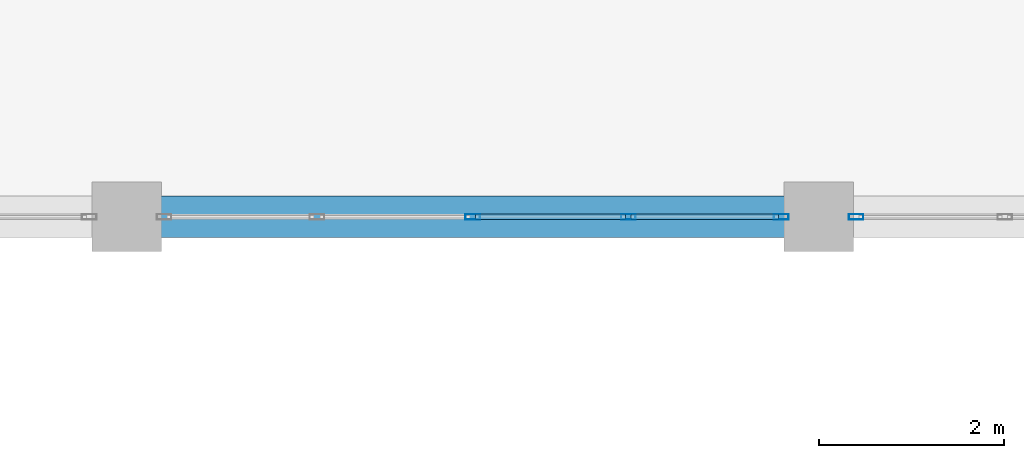
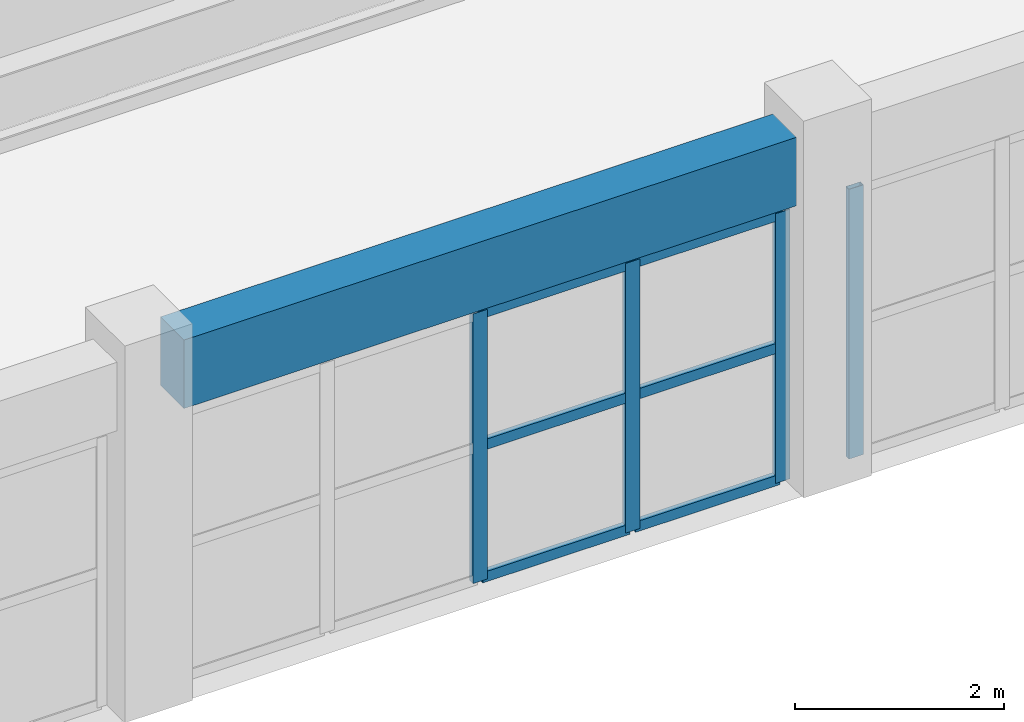
# One storey, part 23 of 90: 10 members, 1 beam, 2 elements without a shape of their own.
"""IFC4 building model written with IfcOpenShell, lengths in metres."""

import ifcopenshell
import ifcopenshell.guid

model = None  # the IFC model being written
_history = None  # IfcOwnerHistory: only IFC2X3 demands one
_inside = {}  # id of a spatial element -> (the spatial element, [elements in it])
_under = {}  # id of a project, library or spatial element -> (it, [spatial elements below it])
_declared = {}  # id of a project -> (the project, [libraries it declares])
_typed = {}  # id of a type object -> (the type object, [elements of that type])
_made_of = {}  # id of a material, layer set ... -> (it, [elements and type objects made of it])


def new_model(schema):
    """Start an empty IFC model of exactly this schema.

    Asked for "IFC4X3", IfcOpenShell would pick the latest addendum, in which some entities
    have other attributes; the version numbers below select the first issue.
    IFC2X3 requires an IfcOwnerHistory on every rooted entity: one is made here for all.
    """
    global model, _history
    if schema == "IFC4X3":
        model = ifcopenshell.file(schema_version=(4, 3, 0, 0))
    else:
        model = ifcopenshell.file(schema=schema)
    _inside.clear()
    _under.clear()
    _declared.clear()
    _typed.clear()
    _made_of.clear()
    _history = None
    if model.schema == "IFC2X3":
        org = make("IfcOrganization", Name="unknown")
        user = make(
            "IfcPersonAndOrganization",
            ThePerson=make("IfcPerson", FamilyName="unknown"),
            TheOrganization=org,
        )
        app = make(
            "IfcApplication",
            ApplicationDeveloper=org,
            Version="unknown",
            ApplicationFullName="unknown",
            ApplicationIdentifier="unknown",
        )
        _history = make(
            "IfcOwnerHistory",
            OwningUser=user,
            OwningApplication=app,
            ChangeAction="ADDED",
            CreationDate=0,
        )
    return model


def make(cls, **values):
    """One entity of the class cls with the attributes given. An attribute that is None is left unset."""
    return model.create_entity(
        cls, **{name: value for name, value in values.items() if value is not None}
    )


def rooted(cls, **values):
    """An entity with a GlobalId (a new one), such as an element, a storey or a relation."""
    return make(cls, GlobalId=ifcopenshell.guid.new(), OwnerHistory=_history, **values)


def si_unit(unit_type, name, prefix=None):
    """IfcSIUnit, for example si_unit("LENGTHUNIT", "METRE", prefix="MILLI")."""
    return make("IfcSIUnit", UnitType=unit_type, Prefix=prefix, Name=name)


def assignment(units):
    """IfcUnitAssignment: the units of a project."""
    return None if units is None else make("IfcUnitAssignment", Units=units)


def point(xyz):
    """IfcCartesianPoint."""
    return None if xyz is None else make("IfcCartesianPoint", Coordinates=xyz)


def direction(xyz):
    """IfcDirection."""
    return None if xyz is None else make("IfcDirection", DirectionRatios=xyz)


def frame(location, z_axis=None, x_axis=None):
    """IfcAxis2Placement3D, a coordinate frame: its origin and axes. An axis left out is left unset."""
    return make(
        "IfcAxis2Placement3D",
        Location=point(location),
        Axis=direction(z_axis),
        RefDirection=direction(x_axis),
    )


def frame_2d(location, x_axis=None):
    """IfcAxis2Placement2D, a coordinate frame in the plane: its origin and x axis."""
    return make(
        "IfcAxis2Placement2D", Location=point(location), RefDirection=direction(x_axis)
    )


def origin():
    """The frame at (0, 0, 0) with its axes left unset."""
    return frame((0.0, 0.0, 0.0))


def origin_2d():
    """The frame at (0, 0) in the plane with its x axis left unset."""
    return frame_2d((0.0, 0.0))


def place(relative_to, where):
    """IfcLocalPlacement: puts the frame where relative to a parent placement (None: the world)."""
    return make(
        "IfcLocalPlacement", PlacementRelTo=relative_to, RelativePlacement=where
    )


def context(
    kind, dimensions, precision=None, world=None, true_north=None, identifier=None
):
    """IfcGeometricRepresentationContext, for example the 3D "Model" context."""
    return make(
        "IfcGeometricRepresentationContext",
        ContextIdentifier=identifier,
        ContextType=kind,
        CoordinateSpaceDimension=dimensions,
        Precision=precision,
        WorldCoordinateSystem=world,
        TrueNorth=true_north,
    )


def subcontext(parent, identifier, kind, view, scale=None):
    """IfcGeometricRepresentationSubContext, for example "Body" below "Model"."""
    return make(
        "IfcGeometricRepresentationSubContext",
        ContextIdentifier=identifier,
        ContextType=kind,
        ParentContext=parent,
        TargetScale=scale,
        TargetView=view,
    )


def project(units=None, contexts=None):
    """IfcProject with its units and contexts."""
    return rooted(
        "IfcProject",
        Name="project",
        RepresentationContexts=contexts,
        UnitsInContext=assignment(units),
    )


def spatial(cls, under=None, at=None, **own):
    """A site, building, storey or space (cls), placed at a placement, below another one or the project."""
    s = rooted(cls, ObjectPlacement=at, **own)
    if under is not None:
        _under.setdefault(under.id(), (under, []))[1].append(s)
    return s


def profile(cls, at=None, kind="AREA", **sizes):
    """A parametric profile (cls). Its sizes go by their IFC names, for example OverallWidth=200.0."""
    return make(cls, ProfileType=kind, Position=at, **sizes)


def rectangle(**sizes):
    """IfcRectangleProfileDef."""
    return profile("IfcRectangleProfileDef", **sizes)


def hollow_rectangle(**sizes):
    """IfcRectangleHollowProfileDef."""
    return profile("IfcRectangleHollowProfileDef", **sizes)


def extrude(swept, where, along, depth):
    """IfcExtrudedAreaSolid: the profile swept, set in the frame where, extruded along a direction by depth."""
    return make(
        "IfcExtrudedAreaSolid",
        SweptArea=swept,
        Position=where,
        ExtrudedDirection=direction(along),
        Depth=depth,
    )


def shape(context_of_items, identifier, shape_type, items):
    """IfcShapeRepresentation: the items that make up one representation, for example the "Body"."""
    return make(
        "IfcShapeRepresentation",
        ContextOfItems=context_of_items,
        RepresentationIdentifier=identifier,
        RepresentationType=shape_type,
        Items=items,
    )


def material(Name=None, Category=None):
    """IfcMaterial."""
    return make("IfcMaterial", Name=Name, Category=Category)


def layer(
    of_material, thickness, ventilated=None, Name=None, Category=None, Priority=None
):
    """IfcMaterialLayer: one layer of a wall or slab, of a material (None: an air gap)."""
    return make(
        "IfcMaterialLayer",
        Material=of_material,
        LayerThickness=thickness,
        IsVentilated=ventilated,
        Name=Name,
        Category=Category,
        Priority=Priority,
    )


def layer_set(layers, Name=None):
    """IfcMaterialLayerSet."""
    return make("IfcMaterialLayerSet", MaterialLayers=layers, LayerSetName=Name)


def material_profile(
    of_material, cross_section, Name=None, Category=None, Priority=None
):
    """IfcMaterialProfile: a cross section and its material."""
    return make(
        "IfcMaterialProfile",
        Name=Name,
        Material=of_material,
        Profile=cross_section,
        Priority=Priority,
        Category=Category,
    )


def profile_set(profiles, Name=None, composite=None):
    """IfcMaterialProfileSet."""
    return make(
        "IfcMaterialProfileSet",
        Name=Name,
        MaterialProfiles=profiles,
        CompositeProfile=composite,
    )


def made_of(thing, what):
    """Note that an element or type object is made of a material, layer set ...; save() writes the relation."""
    if what is not None:
        _made_of.setdefault(what.id(), (what, []))[1].append(thing)
    return thing


def type_object(cls, material=None, **own):
    """A type object (cls), such as IfcWallType, which elements share."""
    return made_of(rooted(cls, **own), material)


def element(
    cls,
    number,
    at=None,
    inside=None,
    cuts=None,
    type_object=None,
    material=None,
    context=None,
    identifier="Body",
    shape_type=None,
    held_by="IfcProductDefinitionShape",
    body=None,
    shapes=None,
    **own,
):
    """One element of the class cls, such as IfcWall. Its Tag is "e" and its number.

    at: its placement. inside: the storey or other place that contains it. cuts: it is an
    opening in that element (IfcRelVoidsElement). A single representation is given by context,
    identifier, shape_type and body (its items); several are given by shapes. held_by: the class
    of the entity that holds the representations. save() writes the other relations.
    """
    e = rooted(cls, Tag="e%d" % number, ObjectPlacement=at, **own)
    if body is not None:
        shapes = [shape(context, identifier, shape_type, body)]
    if shapes is not None:
        e.Representation = make(held_by, Representations=shapes)
    if inside is not None:
        _inside.setdefault(inside.id(), (inside, []))[1].append(e)
    if cuts is not None:
        rooted(
            "IfcRelVoidsElement", RelatingBuildingElement=cuts, RelatedOpeningElement=e
        )
    if type_object is not None:
        _typed.setdefault(type_object.id(), (type_object, []))[1].append(e)
    return made_of(e, material)


def aggregate(whole, parts):
    """IfcRelAggregates: a whole, such as a stair, and the parts it consists of."""
    return rooted("IfcRelAggregates", RelatingObject=whole, RelatedObjects=parts)


def save(model, path):
    """Write the relations noted so far, then the file.

    IfcRelAggregates (storeys below a building ...), IfcRelContainedInSpatialStructure (elements
    in a storey), IfcRelDefinesByType, IfcRelAssociatesMaterial and IfcRelDeclares: one each for
    every whole, place, type object, material and project.
    """
    for whole, parts in _under.values():
        aggregate(whole, parts)
    for where, things in _inside.values():
        rooted(
            "IfcRelContainedInSpatialStructure",
            RelatedElements=things,
            RelatingStructure=where,
        )
    for kind, things in _typed.values():
        rooted("IfcRelDefinesByType", RelatedObjects=things, RelatingType=kind)
    for what, things in _made_of.values():
        rooted("IfcRelAssociatesMaterial", RelatedObjects=things, RelatingMaterial=what)
    for by, libraries in _declared.values():
        rooted("IfcRelDeclares", RelatingContext=by, RelatedDefinitions=libraries)
    model.write(path)


model = new_model("IFC4")

# Units and contexts
model_context = context("Model", 3, precision=1e-05, world=origin(), true_north=direction((0.0, 1.0)))
body_context = subcontext(model_context, "Body", "Model", "MODEL_VIEW")
ifc_project = project(units=[si_unit("LENGTHUNIT", "METRE"), si_unit("AREAUNIT", "SQUARE_METRE"), si_unit("VOLUMEUNIT", "CUBIC_METRE"), si_unit("PLANEANGLEUNIT", "RADIAN"), si_unit("MASSUNIT", "GRAM", prefix="KILO")], contexts=[model_context])

# Site, building, storey
site_placement = place(None, origin())
site = spatial("IfcSite", under=ifc_project, at=site_placement, CompositionType="ELEMENT")
building_placement = place(site_placement, origin())
building = spatial("IfcBuilding", under=site, at=building_placement, Name="Muzn Square Opera House", CompositionType="ELEMENT")
storey_placement = place(building_placement, frame((0.0, 0.0, 9.800048828125)))
storey = spatial("IfcBuildingStorey", under=building, at=storey_placement, Name="L02", CompositionType="ELEMENT", Elevation=9.800048828125)

# Curtain wall, members
ifc_material_1 = material(Name="Low-E laminated acoustic double glazing", Category="glass")
ifc_layer_1 = layer(ifc_material_1, 0.159912109375, Name="Low-E laminated acoustic double glazing", Category="glass")
ifc_layer_set_1 = layer_set([ifc_layer_1], Name="Low-E laminated acoustic double glazing")
curtain_wall_type_1 = type_object("IfcCurtainWallType", Name="Glazed Curtain Wall Forecourt 6750x3150", PredefinedType="USERDEFINED", material=ifc_layer_set_1)
curtain_wall_1_placement = place(storey_placement, origin())
curtain_wall_1 = element("IfcCurtainWall", 1, at=curtain_wall_1_placement, inside=storey, type_object=curtain_wall_type_1, Name="Glazed Curtain Wall CW-L02-015", ObjectType="GLAZED CURTAIN WALL", PredefinedType="USERDEFINED")
ifc_material_2 = material(Name="Anodised bronze aluminium 6063-T6", Category="metal")
ifc_material_profile_1 = material_profile(ifc_material_2, hollow_rectangle(XDim=0.06005859375, YDim=0.159912109375, WallThickness=0.00390625, at=origin_2d()), Name="ALU 160x60x4", Category="metal")
ifc_profile_set_1 = profile_set([ifc_material_profile_1], Name="Anodised bronze aluminium 6063-T6")
member_type_1 = type_object("IfcMemberType", Name="Curtain Wall Mullion 160x60", PredefinedType="MULLION", material=ifc_profile_set_1)
member_1_placement = place(storey_placement, frame((91.75, 22.0, 0.0), z_axis=(0.0, 0.0, 1.0), x_axis=(0.0, 1.0, 0.0)))
member_1 = element("IfcMember", 2, at=member_1_placement, type_object=member_type_1, Name="CW-FC-67x31 mullion 3", PredefinedType="MULLION", context=body_context, shape_type="SweptSolid", body=[
    extrude(hollow_rectangle(XDim=0.06005859375, YDim=0.159912109375, WallThickness=0.00390625, at=origin_2d()), origin(), (0.0, 0.0, 1.0), 3.14990234375),
])
member_2_placement = place(storey_placement, frame((93.4375, 22.0, 0.0), z_axis=(0.0, 0.0, 1.0), x_axis=(0.0, 1.0, 0.0)))
member_2 = element("IfcMember", 3, at=member_2_placement, type_object=member_type_1, Name="CW-FC-67x31 mullion 4", PredefinedType="MULLION", context=body_context, shape_type="SweptSolid", body=[
    extrude(hollow_rectangle(XDim=0.06005859375, YDim=0.159912109375, WallThickness=0.00390625, at=origin_2d()), origin(), (0.0, 0.0, 1.0), 3.14990234375),
])
member_3_placement = place(storey_placement, frame((95.094970703125, 22.0, 0.0), z_axis=(0.0, 0.0, 1.0), x_axis=(0.0, 1.0, 0.0)))
member_3 = element("IfcMember", 4, at=member_3_placement, type_object=member_type_1, Name="CW-FC-67x31 mullion 5", PredefinedType="MULLION", context=body_context, shape_type="SweptSolid", body=[
    extrude(hollow_rectangle(XDim=0.06005859375, YDim=0.159912109375, WallThickness=0.00390625, at=origin_2d()), origin(), (0.0, 0.0, 1.0), 3.14990234375),
])

# Curtain wall, member
ifc_layer_2 = layer(ifc_material_1, 0.159912109375, Name="Low-E laminated acoustic double glazing", Category="glass")
ifc_layer_set_2 = layer_set([ifc_layer_2], Name="Low-E laminated acoustic double glazing")
curtain_wall_type_2 = type_object("IfcCurtainWallType", Name="Glazed Curtain Wall Forecourt 6575x3150", PredefinedType="USERDEFINED", material=ifc_layer_set_2)
curtain_wall_2_placement = place(storey_placement, origin())
curtain_wall_2 = element("IfcCurtainWall", 5, at=curtain_wall_2_placement, inside=storey, type_object=curtain_wall_type_2, Name="Glazed Curtain Wall CW-L02-016", ObjectType="GLAZED CURTAIN WALL", PredefinedType="USERDEFINED")
member_4_placement = place(storey_placement, frame((95.905029296875, 22.0, 0.0), z_axis=(0.0, 0.0, 1.0), x_axis=(0.0, 1.0, 0.0)))
member_4 = element("IfcMember", 6, at=member_4_placement, type_object=member_type_1, Name="CW-FC-65x31 mullion 1", PredefinedType="MULLION", context=body_context, shape_type="SweptSolid", body=[
    extrude(hollow_rectangle(XDim=0.06005859375, YDim=0.159912109375, WallThickness=0.00390625, at=origin_2d()), origin(), (0.0, 0.0, 1.0), 3.14990234375),
])
aggregate(curtain_wall_2, [member_4])

# Member
ifc_material_profile_2 = material_profile(ifc_material_2, hollow_rectangle(XDim=0.06005859375, YDim=0.1201171875, WallThickness=0.00390625, at=origin_2d()), Name="ALU 120x60x4", Category="metal")
ifc_profile_set_2 = profile_set([ifc_material_profile_2], Name="Anodised bronze aluminium 6063-T6")
member_type_2 = type_object("IfcMemberType", Name="Curtain Wall Transom 120x60", PredefinedType="USERDEFINED", material=ifc_profile_set_2)
member_5_placement = place(storey_placement, frame((91.780029296875, 22.0, 0.030029296875), z_axis=(1.0, 0.0, 0.0), x_axis=(0.0, 1.0, 0.0)))
member_5 = element("IfcMember", 7, at=member_5_placement, type_object=member_type_2, Name="CW-FC-67x31 transom 3.1", ObjectType="TRANSOM", PredefinedType="USERDEFINED", context=body_context, shape_type="SweptSolid", body=[
    extrude(hollow_rectangle(XDim=0.06005859375, YDim=0.1201171875, WallThickness=0.00390625, at=origin_2d()), origin(), (0.0, 0.0, 1.0), 1.62744140625),
])

member_6_placement = place(storey_placement, frame((91.780029296875, 22.0, 1.574951171875), z_axis=(1.0, 0.0, 0.0), x_axis=(0.0, 1.0, 0.0)))
member_6 = element("IfcMember", 8, at=member_6_placement, type_object=member_type_2, Name="CW-FC-67x31 transom 3.2", ObjectType="TRANSOM", PredefinedType="USERDEFINED", context=body_context, shape_type="SweptSolid", body=[
    extrude(hollow_rectangle(XDim=0.06005859375, YDim=0.1201171875, WallThickness=0.00390625, at=origin_2d()), origin(), (0.0, 0.0, 1.0), 1.62744140625),
])

member_7_placement = place(storey_placement, frame((91.780029296875, 22.0, 3.119873046875), z_axis=(1.0, 0.0, 0.0), x_axis=(0.0, 1.0, 0.0)))
member_7 = element("IfcMember", 9, at=member_7_placement, type_object=member_type_2, Name="CW-FC-67x31 transom 3.3", ObjectType="TRANSOM", PredefinedType="USERDEFINED", context=body_context, shape_type="SweptSolid", body=[
    extrude(hollow_rectangle(XDim=0.06005859375, YDim=0.1201171875, WallThickness=0.00390625, at=origin_2d()), origin(), (0.0, 0.0, 1.0), 1.62744140625),
])

member_8_placement = place(storey_placement, frame((93.467529296875, 22.0, 0.030029296875), z_axis=(1.0, 0.0, 0.0), x_axis=(0.0, 1.0, 0.0)))
member_8 = element("IfcMember", 10, at=member_8_placement, type_object=member_type_2, Name="CW-FC-67x31 transom 4.1", ObjectType="TRANSOM", PredefinedType="USERDEFINED", context=body_context, shape_type="SweptSolid", body=[
    extrude(hollow_rectangle(XDim=0.06005859375, YDim=0.1201171875, WallThickness=0.00390625, at=origin_2d()), origin(), (0.0, 0.0, 1.0), 1.597412109375),
])

member_9_placement = place(storey_placement, frame((93.467529296875, 22.0, 1.574951171875), z_axis=(1.0, 0.0, 0.0), x_axis=(0.0, 1.0, 0.0)))
member_9 = element("IfcMember", 11, at=member_9_placement, type_object=member_type_2, Name="CW-FC-67x31 transom 4.2", ObjectType="TRANSOM", PredefinedType="USERDEFINED", context=body_context, shape_type="SweptSolid", body=[
    extrude(hollow_rectangle(XDim=0.06005859375, YDim=0.1201171875, WallThickness=0.00390625, at=origin_2d()), origin(), (0.0, 0.0, 1.0), 1.597412109375),
])

member_10_placement = place(storey_placement, frame((93.467529296875, 22.0, 3.119873046875), z_axis=(1.0, 0.0, 0.0), x_axis=(0.0, 1.0, 0.0)))
member_10 = element("IfcMember", 12, at=member_10_placement, type_object=member_type_2, Name="CW-FC-67x31 transom 4.3", ObjectType="TRANSOM", PredefinedType="USERDEFINED", context=body_context, shape_type="SweptSolid", body=[
    extrude(hollow_rectangle(XDim=0.06005859375, YDim=0.1201171875, WallThickness=0.00390625, at=origin_2d()), origin(), (0.0, 0.0, 1.0), 1.597412109375),
])

aggregate(curtain_wall_1, [member_1, member_2, member_3, member_5, member_6, member_7, member_8, member_9, member_10])

# Beam
ifc_material_3 = material(Name="Concrete C40/50", Category="concrete")
ifc_material_profile_3 = material_profile(ifc_material_3, rectangle(XDim=0.449951171875, YDim=0.800048828125, at=origin_2d()), Name="RCB 450x800", Category="concrete")
ifc_profile_set_3 = profile_set([ifc_material_profile_3], Name="Concrete C40/50")
beam_type = type_object("IfcBeamType", Name="Primary Girder 450x800", PredefinedType="BEAM", material=ifc_profile_set_3)
beam_placement = place(storey_placement, frame((88.366943359375, 22.0, 3.719970703125), z_axis=(1.0, 0.0, 0.0), x_axis=(0.0, 1.0, 0.0)))
element("IfcBeam", 13, at=beam_placement, inside=storey, type_object=beam_type, Name="Primary Girder BM-L02-BM-PG800-884_220_951_220-1955", PredefinedType="BEAM", context=body_context, shape_type="SweptSolid", body=[
    extrude(rectangle(XDim=0.449951171875, YDim=0.800048828125, at=origin_2d()), origin(), (0.0, 0.0, 1.0), 6.76611328125),
])

save(model, "model.ifc")
